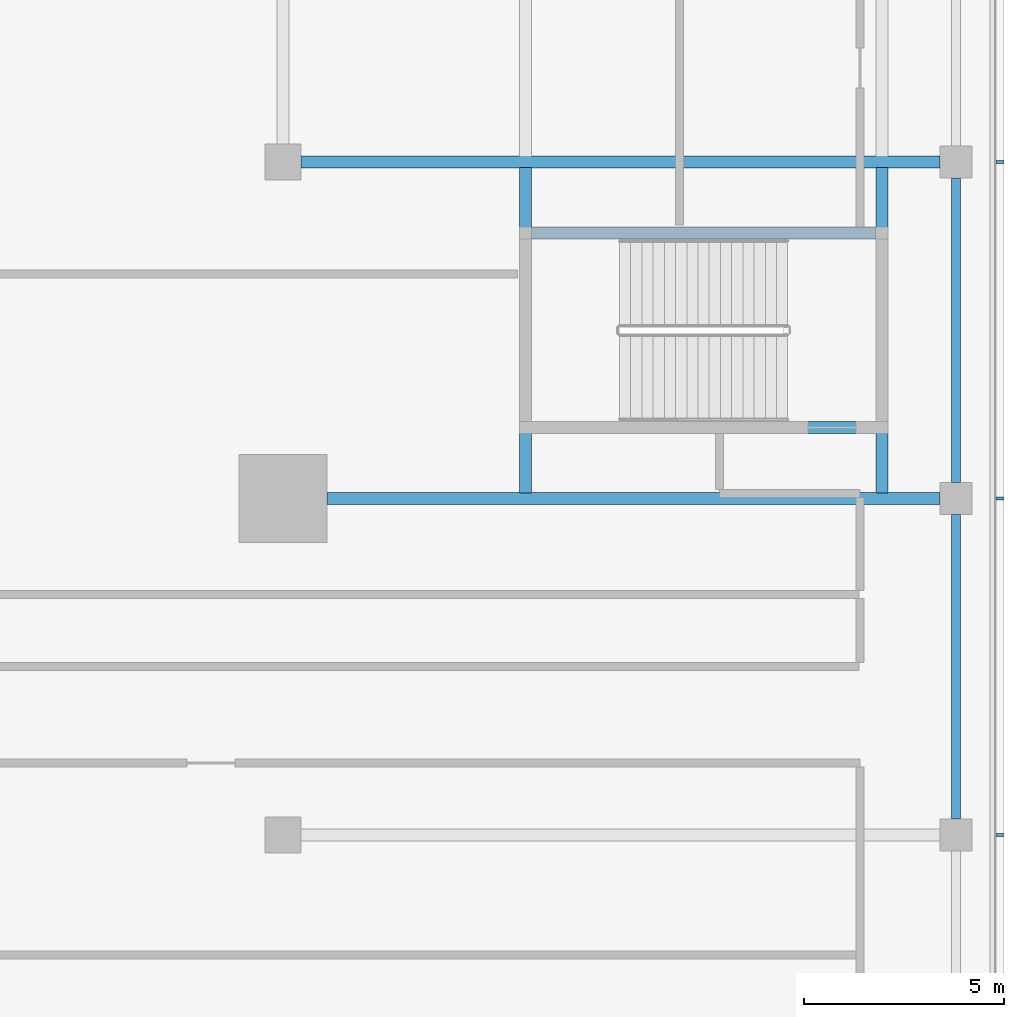
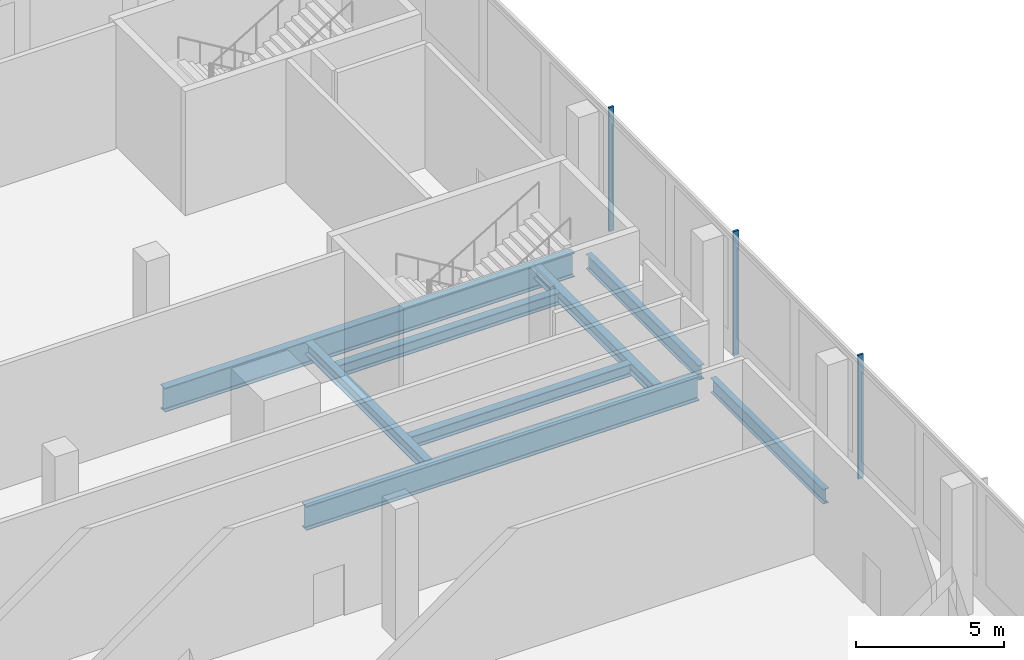
# One storey, part 16 of 39: 8 beams, 3 members, 1 element without a shape of its own.
"""IFC4 building model written with IfcOpenShell, lengths in metres."""

import ifcopenshell
import ifcopenshell.guid

model = None  # the IFC model being written
_history = None  # IfcOwnerHistory: only IFC2X3 demands one
_inside = {}  # id of a spatial element -> (the spatial element, [elements in it])
_under = {}  # id of a project, library or spatial element -> (it, [spatial elements below it])
_declared = {}  # id of a project -> (the project, [libraries it declares])
_typed = {}  # id of a type object -> (the type object, [elements of that type])
_made_of = {}  # id of a material, layer set ... -> (it, [elements and type objects made of it])


def new_model(schema):
    """Start an empty IFC model of exactly this schema.

    Asked for "IFC4X3", IfcOpenShell would pick the latest addendum, in which some entities
    have other attributes; the version numbers below select the first issue.
    IFC2X3 requires an IfcOwnerHistory on every rooted entity: one is made here for all.
    """
    global model, _history
    if schema == "IFC4X3":
        model = ifcopenshell.file(schema_version=(4, 3, 0, 0))
    else:
        model = ifcopenshell.file(schema=schema)
    _inside.clear()
    _under.clear()
    _declared.clear()
    _typed.clear()
    _made_of.clear()
    _history = None
    if model.schema == "IFC2X3":
        org = make("IfcOrganization", Name="unknown")
        user = make(
            "IfcPersonAndOrganization",
            ThePerson=make("IfcPerson", FamilyName="unknown"),
            TheOrganization=org,
        )
        app = make(
            "IfcApplication",
            ApplicationDeveloper=org,
            Version="unknown",
            ApplicationFullName="unknown",
            ApplicationIdentifier="unknown",
        )
        _history = make(
            "IfcOwnerHistory",
            OwningUser=user,
            OwningApplication=app,
            ChangeAction="ADDED",
            CreationDate=0,
        )
    return model


def make(cls, **values):
    """One entity of the class cls with the attributes given. An attribute that is None is left unset."""
    return model.create_entity(
        cls, **{name: value for name, value in values.items() if value is not None}
    )


def rooted(cls, **values):
    """An entity with a GlobalId (a new one), such as an element, a storey or a relation."""
    return make(cls, GlobalId=ifcopenshell.guid.new(), OwnerHistory=_history, **values)


def si_unit(unit_type, name, prefix=None):
    """IfcSIUnit, for example si_unit("LENGTHUNIT", "METRE", prefix="MILLI")."""
    return make("IfcSIUnit", UnitType=unit_type, Prefix=prefix, Name=name)


def assignment(units):
    """IfcUnitAssignment: the units of a project."""
    return None if units is None else make("IfcUnitAssignment", Units=units)


def point(xyz):
    """IfcCartesianPoint."""
    return None if xyz is None else make("IfcCartesianPoint", Coordinates=xyz)


def direction(xyz):
    """IfcDirection."""
    return None if xyz is None else make("IfcDirection", DirectionRatios=xyz)


def frame(location, z_axis=None, x_axis=None):
    """IfcAxis2Placement3D, a coordinate frame: its origin and axes. An axis left out is left unset."""
    return make(
        "IfcAxis2Placement3D",
        Location=point(location),
        Axis=direction(z_axis),
        RefDirection=direction(x_axis),
    )


def frame_2d(location, x_axis=None):
    """IfcAxis2Placement2D, a coordinate frame in the plane: its origin and x axis."""
    return make(
        "IfcAxis2Placement2D", Location=point(location), RefDirection=direction(x_axis)
    )


def origin():
    """The frame at (0, 0, 0) with its axes left unset."""
    return frame((0.0, 0.0, 0.0))


def origin_2d():
    """The frame at (0, 0) in the plane with its x axis left unset."""
    return frame_2d((0.0, 0.0))


def place(relative_to, where):
    """IfcLocalPlacement: puts the frame where relative to a parent placement (None: the world)."""
    return make(
        "IfcLocalPlacement", PlacementRelTo=relative_to, RelativePlacement=where
    )


def context(
    kind, dimensions, precision=None, world=None, true_north=None, identifier=None
):
    """IfcGeometricRepresentationContext, for example the 3D "Model" context."""
    return make(
        "IfcGeometricRepresentationContext",
        ContextIdentifier=identifier,
        ContextType=kind,
        CoordinateSpaceDimension=dimensions,
        Precision=precision,
        WorldCoordinateSystem=world,
        TrueNorth=true_north,
    )


def subcontext(parent, identifier, kind, view, scale=None):
    """IfcGeometricRepresentationSubContext, for example "Body" below "Model"."""
    return make(
        "IfcGeometricRepresentationSubContext",
        ContextIdentifier=identifier,
        ContextType=kind,
        ParentContext=parent,
        TargetScale=scale,
        TargetView=view,
    )


def project(units=None, contexts=None):
    """IfcProject with its units and contexts."""
    return rooted(
        "IfcProject",
        Name="project",
        RepresentationContexts=contexts,
        UnitsInContext=assignment(units),
    )


def spatial(cls, under=None, at=None, **own):
    """A site, building, storey or space (cls), placed at a placement, below another one or the project."""
    s = rooted(cls, ObjectPlacement=at, **own)
    if under is not None:
        _under.setdefault(under.id(), (under, []))[1].append(s)
    return s


def profile(cls, at=None, kind="AREA", **sizes):
    """A parametric profile (cls). Its sizes go by their IFC names, for example OverallWidth=200.0."""
    return make(cls, ProfileType=kind, Position=at, **sizes)


def rectangle(**sizes):
    """IfcRectangleProfileDef."""
    return profile("IfcRectangleProfileDef", **sizes)


def i_section(**sizes):
    """IfcIShapeProfileDef."""
    return profile("IfcIShapeProfileDef", **sizes)


def extrude(swept, where, along, depth):
    """IfcExtrudedAreaSolid: the profile swept, set in the frame where, extruded along a direction by depth."""
    return make(
        "IfcExtrudedAreaSolid",
        SweptArea=swept,
        Position=where,
        ExtrudedDirection=direction(along),
        Depth=depth,
    )


def shape(context_of_items, identifier, shape_type, items):
    """IfcShapeRepresentation: the items that make up one representation, for example the "Body"."""
    return make(
        "IfcShapeRepresentation",
        ContextOfItems=context_of_items,
        RepresentationIdentifier=identifier,
        RepresentationType=shape_type,
        Items=items,
    )


def material(Name=None, Category=None):
    """IfcMaterial."""
    return make("IfcMaterial", Name=Name, Category=Category)


def material_profile(
    of_material, cross_section, Name=None, Category=None, Priority=None
):
    """IfcMaterialProfile: a cross section and its material."""
    return make(
        "IfcMaterialProfile",
        Name=Name,
        Material=of_material,
        Profile=cross_section,
        Priority=Priority,
        Category=Category,
    )


def profile_set(profiles, Name=None, composite=None):
    """IfcMaterialProfileSet."""
    return make(
        "IfcMaterialProfileSet",
        Name=Name,
        MaterialProfiles=profiles,
        CompositeProfile=composite,
    )


def made_of(thing, what):
    """Note that an element or type object is made of a material, layer set ...; save() writes the relation."""
    if what is not None:
        _made_of.setdefault(what.id(), (what, []))[1].append(thing)
    return thing


def type_object(cls, material=None, **own):
    """A type object (cls), such as IfcWallType, which elements share."""
    return made_of(rooted(cls, **own), material)


def element(
    cls,
    number,
    at=None,
    inside=None,
    cuts=None,
    type_object=None,
    material=None,
    context=None,
    identifier="Body",
    shape_type=None,
    held_by="IfcProductDefinitionShape",
    body=None,
    shapes=None,
    **own,
):
    """One element of the class cls, such as IfcWall. Its Tag is "e" and its number.

    at: its placement. inside: the storey or other place that contains it. cuts: it is an
    opening in that element (IfcRelVoidsElement). A single representation is given by context,
    identifier, shape_type and body (its items); several are given by shapes. held_by: the class
    of the entity that holds the representations. save() writes the other relations.
    """
    e = rooted(cls, Tag="e%d" % number, ObjectPlacement=at, **own)
    if body is not None:
        shapes = [shape(context, identifier, shape_type, body)]
    if shapes is not None:
        e.Representation = make(held_by, Representations=shapes)
    if inside is not None:
        _inside.setdefault(inside.id(), (inside, []))[1].append(e)
    if cuts is not None:
        rooted(
            "IfcRelVoidsElement", RelatingBuildingElement=cuts, RelatedOpeningElement=e
        )
    if type_object is not None:
        _typed.setdefault(type_object.id(), (type_object, []))[1].append(e)
    return made_of(e, material)


def aggregate(whole, parts):
    """IfcRelAggregates: a whole, such as a stair, and the parts it consists of."""
    return rooted("IfcRelAggregates", RelatingObject=whole, RelatedObjects=parts)


def save(model, path):
    """Write the relations noted so far, then the file.

    IfcRelAggregates (storeys below a building ...), IfcRelContainedInSpatialStructure (elements
    in a storey), IfcRelDefinesByType, IfcRelAssociatesMaterial and IfcRelDeclares: one each for
    every whole, place, type object, material and project.
    """
    for whole, parts in _under.values():
        aggregate(whole, parts)
    for where, things in _inside.values():
        rooted(
            "IfcRelContainedInSpatialStructure",
            RelatedElements=things,
            RelatingStructure=where,
        )
    for kind, things in _typed.values():
        rooted("IfcRelDefinesByType", RelatedObjects=things, RelatingType=kind)
    for what, things in _made_of.values():
        rooted("IfcRelAssociatesMaterial", RelatedObjects=things, RelatingMaterial=what)
    for by, libraries in _declared.values():
        rooted("IfcRelDeclares", RelatingContext=by, RelatedDefinitions=libraries)
    model.write(path)


model = new_model("IFC4")

# Units and contexts
model_context = context("Model", 3, precision=1e-05, world=origin(), true_north=direction((0.0, 1.0)))
body_context = subcontext(model_context, "Body", "Model", "MODEL_VIEW")
ifc_project = project(units=[si_unit("LENGTHUNIT", "METRE"), si_unit("AREAUNIT", "SQUARE_METRE"), si_unit("VOLUMEUNIT", "CUBIC_METRE"), si_unit("PLANEANGLEUNIT", "RADIAN"), si_unit("MASSUNIT", "GRAM", prefix="KILO")], contexts=[model_context])

# Site, building, storey
site_placement = place(None, origin())
site = spatial("IfcSite", under=ifc_project, at=site_placement, CompositionType="ELEMENT")
building_placement = place(site_placement, origin())
building = spatial("IfcBuilding", under=site, at=building_placement, Name="Saffron Gate Tower", CompositionType="ELEMENT")
storey_placement = place(building_placement, frame((0.0, 0.0, 9.0)))
storey = spatial("IfcBuildingStorey", under=building, at=storey_placement, Name="L01", CompositionType="ELEMENT", Elevation=9.0)

# Beams
ifc_material_1 = material(Name="Structural steel S355", Category="steel")
ifc_material_profile_1 = material_profile(ifc_material_1, i_section(OverallWidth=0.219970703125, OverallDepth=0.60009765625, WebThickness=0.011962890625, FlangeThickness=0.01904296875, FilletRadius=0.02392578125, at=origin_2d()))
ifc_profile_set_1 = profile_set([ifc_material_profile_1], Name="Structural steel S355")
beam_type_1 = type_object("IfcBeamType", Name="B15 IPE 600", PredefinedType="BEAM", material=ifc_profile_set_1)
beam_1_placement = place(storey_placement, frame((142.199951171875, 57.39990234375, -0.60009765625), z_axis=(0.0, 1.0, 0.0), x_axis=(-1.0, 0.0, 0.0)))
element("IfcBeam", 1, at=beam_1_placement, inside=storey, type_object=beam_type_1, Name="B15 PODIUM EDGE BEAM", PredefinedType="BEAM", context=body_context, shape_type="SweptSolid", body=[
    extrude(i_section(OverallWidth=0.219970703125, OverallDepth=0.60009765625, WebThickness=0.011962890625, FlangeThickness=0.01904296875, FilletRadius=0.02392578125, at=origin_2d()), origin(), (0.0, 0.0, 1.0), 7.60009765625),
])
beam_2_placement = place(storey_placement, frame((142.199951171875, 65.800048828125, -0.60009765625), z_axis=(0.0, 1.0, 0.0), x_axis=(-1.0, 0.0, 0.0)))
element("IfcBeam", 2, at=beam_2_placement, inside=storey, type_object=beam_type_1, Name="B15 PODIUM EDGE BEAM", PredefinedType="BEAM", context=body_context, shape_type="SweptSolid", body=[
    extrude(i_section(OverallWidth=0.219970703125, OverallDepth=0.60009765625, WebThickness=0.011962890625, FlangeThickness=0.01904296875, FilletRadius=0.02392578125, at=origin_2d()), origin(), (0.0, 0.0, 1.0), 7.599853515625),
])
ifc_material_profile_2 = material_profile(ifc_material_1, i_section(OverallWidth=0.300048828125, OverallDepth=0.989990234375, WebThickness=0.0166015625, FlangeThickness=0.031005859375, FilletRadius=0.030029296875, at=origin_2d()))
ifc_profile_set_2 = profile_set([ifc_material_profile_2], Name="Structural steel S355")
beam_type_2 = type_object("IfcBeamType", Name="B21 HEA 1000", PredefinedType="BEAM", material=ifc_profile_set_2)
beam_3_placement = place(storey_placement, frame((141.800048828125, 65.39990234375, -0.794921875), z_axis=(-1.0, 0.0, 0.0), x_axis=(0.0, -1.0, 0.0)))
element("IfcBeam", 3, at=beam_3_placement, inside=storey, type_object=beam_type_2, Name="B21 PODIUM RING GIRDER", PredefinedType="BEAM", context=body_context, shape_type="SweptSolid", body=[
    extrude(i_section(OverallWidth=0.300048828125, OverallDepth=0.989990234375, WebThickness=0.0166015625, FlangeThickness=0.031005859375, FilletRadius=0.030029296875, at=origin_2d()), origin(), (0.0, 0.0, 1.0), 15.300048828125),
])
beam_4_placement = place(storey_placement, frame((141.800048828125, 73.800048828125, -0.794921875), z_axis=(-1.0, 0.0, 0.0), x_axis=(0.0, -1.0, 0.0)))
element("IfcBeam", 4, at=beam_4_placement, inside=storey, type_object=beam_type_2, Name="B21 PODIUM RING GIRDER", PredefinedType="BEAM", context=body_context, shape_type="SweptSolid", body=[
    extrude(i_section(OverallWidth=0.300048828125, OverallDepth=0.989990234375, WebThickness=0.0166015625, FlangeThickness=0.031005859375, FilletRadius=0.030029296875, at=origin_2d()), origin(), (0.0, 0.0, 1.0), 15.949951171875),
])
ifc_material_profile_3 = material_profile(ifc_material_1, i_section(OverallWidth=0.300048828125, OverallDepth=0.5, WebThickness=0.014404296875, FlangeThickness=0.028076171875, FilletRadius=0.027099609375, at=origin_2d()))
ifc_profile_set_3 = profile_set([ifc_material_profile_3], Name="Structural steel S355")
beam_type_3 = type_object("IfcBeamType", Name="B9 HEB 500", PredefinedType="BEAM", material=ifc_profile_set_3)
for number, where, z_axis, x_axis, name in (
    (5, (131.449951171875, 65.5400390625, -0.550048828125), (0.0, 1.0, 0.0), (-1.0, 0.0, 0.0), "B9 STAIR ENCLOSURE HEADER BEAM"),
    (6, (140.35009765625, 65.5400390625, -0.550048828125), (0.0, 1.0, 0.0), (-1.0, 0.0, 0.0), "B9 STAIR ENCLOSURE HEADER BEAM"),
):
    element("IfcBeam", number, at=place(storey_placement, frame(where, z_axis=z_axis, x_axis=x_axis)), inside=storey, type_object=beam_type_3, Name=name, PredefinedType="BEAM", context=body_context, shape_type="SweptSolid", body=[
        extrude(i_section(OverallWidth=0.300048828125, OverallDepth=0.5, WebThickness=0.014404296875, FlangeThickness=0.028076171875, FilletRadius=0.027099609375, at=origin_2d()), origin(), (0.0, 0.0, 1.0), 8.119873046875),
    ])
for number, where, z_axis, x_axis, name in (
    (7, (131.590087890625, 67.175048828125, -0.550048828125), (1.0, 0.0, 0.0), (0.0, 1.0, 0.0), "B9 STAIR ENCLOSURE TRIMMER BEAM"),
    (8, (131.590087890625, 72.02490234375, -0.550048828125), (1.0, 0.0, 0.0), (0.0, 1.0, 0.0), "B9 STAIR ENCLOSURE TRIMMER BEAM"),
):
    element("IfcBeam", number, at=place(storey_placement, frame(where, z_axis=z_axis, x_axis=x_axis)), inside=storey, type_object=beam_type_3, Name=name, PredefinedType="BEAM", context=body_context, shape_type="SweptSolid", body=[
        extrude(i_section(OverallWidth=0.300048828125, OverallDepth=0.5, WebThickness=0.014404296875, FlangeThickness=0.028076171875, FilletRadius=0.027099609375, at=origin_2d()), origin(), (0.0, 0.0, 1.0), 8.619873046875),
    ])

# Curtain wall, members
ifc_material_2 = material(Name="Aluminium, bronze anodised", Category="aluminium")
curtain_wall_type = type_object("IfcCurtainWallType", Name="CWS5 curtain wall podium ring base", PredefinedType="NOTDEFINED", material=ifc_material_2)
curtain_wall_placement = place(storey_placement, origin())
curtain_wall = element("IfcCurtainWall", 9, at=curtain_wall_placement, inside=storey, type_object=curtain_wall_type, Name="CWS5 run 2", PredefinedType="NOTDEFINED")
ifc_material_profile_4 = material_profile(ifc_material_2, rectangle(XDim=0.199951171875, YDim=0.080078125, at=origin_2d()))
ifc_profile_set_4 = profile_set([ifc_material_profile_4], Name="Aluminium, bronze anodised")
member_type = type_object("IfcMemberType", Name="CWS5 mullion 80x200", PredefinedType="MULLION", material=ifc_profile_set_4)
member_1_placement = place(storey_placement, frame((143.300048828125, 57.0, 0.0), z_axis=(0.0, 0.0, 1.0), x_axis=(-1.0, 0.0, 0.0)))
member_1 = element("IfcMember", 10, at=member_1_placement, type_object=member_type, Name="CWS5 mullion 6", PredefinedType="MULLION", context=body_context, shape_type="SweptSolid", body=[
    extrude(rectangle(XDim=0.199951171875, YDim=0.080078125, at=origin_2d()), origin(), (0.0, 0.0, 1.0), 5.10009765625),
])
member_2_placement = place(storey_placement, frame((143.300048828125, 65.39990234375, 0.0), z_axis=(0.0, 0.0, 1.0), x_axis=(-1.0, 0.0, 0.0)))
member_2 = element("IfcMember", 11, at=member_2_placement, type_object=member_type, Name="CWS5 mullion 7", PredefinedType="MULLION", context=body_context, shape_type="SweptSolid", body=[
    extrude(rectangle(XDim=0.199951171875, YDim=0.080078125, at=origin_2d()), origin(), (0.0, 0.0, 1.0), 5.10009765625),
])
member_3_placement = place(storey_placement, frame((143.300048828125, 73.800048828125, 0.0), z_axis=(0.0, 0.0, 1.0), x_axis=(-1.0, 0.0, 0.0)))
member_3 = element("IfcMember", 12, at=member_3_placement, type_object=member_type, Name="CWS5 mullion 8", PredefinedType="MULLION", context=body_context, shape_type="SweptSolid", body=[
    extrude(rectangle(XDim=0.199951171875, YDim=0.080078125, at=origin_2d()), origin(), (0.0, 0.0, 1.0), 5.10009765625),
])
aggregate(curtain_wall, [member_1, member_2, member_3])

save(model, "model.ifc")
